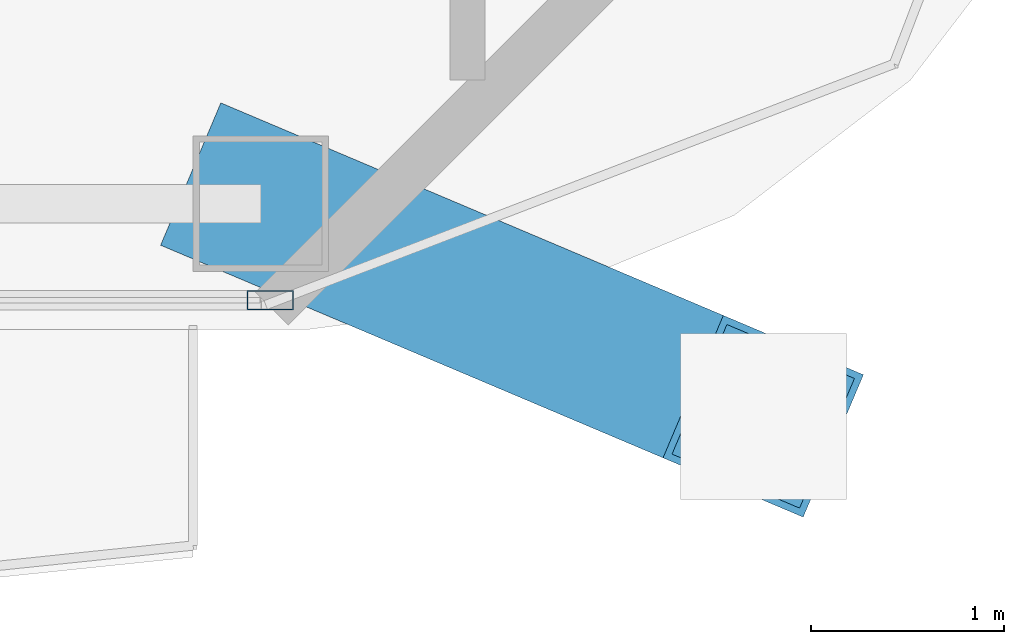
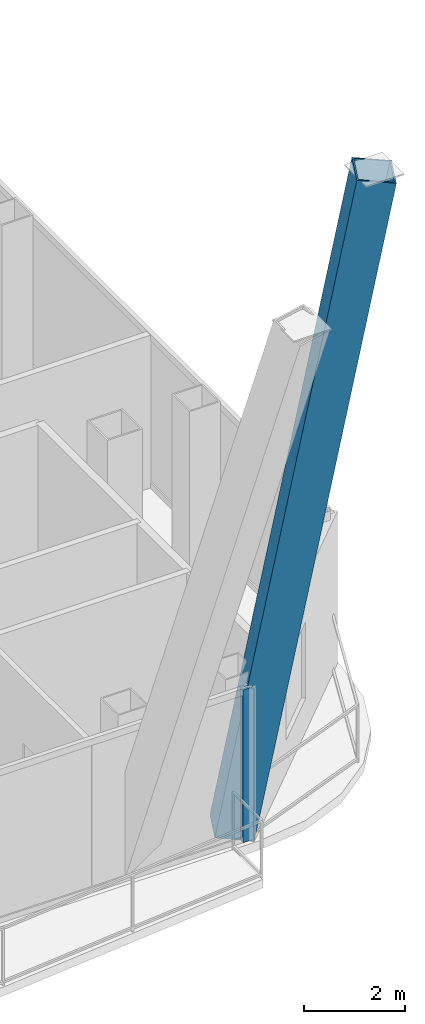
# One storey, part 10 of 34: 2 members, 1 element without a shape of its own.
"""IFC4 building model written with IfcOpenShell, lengths in metres."""

from ifc_helpers import new_model, si_unit, direction, frame, origin, origin_2d, place, context, subcontext, project, spatial, hollow_rectangle, extrude, material, layer, layer_set, material_profile, profile_set, type_object, element, aggregate, save


model = new_model("IFC4")

# Units and contexts
model_context = context("Model", 3, precision=1e-05, world=origin(), true_north=direction((0.0, 1.0)))
body_context = subcontext(model_context, "Body", "Model", "MODEL_VIEW")
ifc_project = project(units=[si_unit("LENGTHUNIT", "METRE"), si_unit("AREAUNIT", "SQUARE_METRE"), si_unit("VOLUMEUNIT", "CUBIC_METRE"), si_unit("PLANEANGLEUNIT", "RADIAN"), si_unit("MASSUNIT", "GRAM", prefix="KILO")], contexts=[model_context])

# Site, building, storey
site_placement = place(None, origin())
site = spatial("IfcSite", under=ifc_project, at=site_placement, CompositionType="ELEMENT")
building_placement = place(site_placement, origin())
building = spatial("IfcBuilding", under=site, at=building_placement, Name="Khorvyn Point Tower", CompositionType="ELEMENT")
storey_placement = place(building_placement, frame((0.0, 0.0, 175.800048828125)))
storey = spatial("IfcBuildingStorey", under=building, at=storey_placement, Name="L43", CompositionType="ELEMENT", Elevation=175.800048828125)

# Curtain wall, member
ifc_material_1 = material(Name="Anodised aluminium 6063-T6 and laminated Low-E glass", Category="aluminium")
ifc_layer = layer(ifc_material_1, 0.18994140625)
ifc_layer_set = layer_set([ifc_layer], Name="Stick-Built Acoustic Curtain Wall CW-SYS-03")
curtain_wall_type = type_object("IfcCurtainWallType", Name="Stick-Built Acoustic Curtain Wall CW-SYS-03", PredefinedType="NOTDEFINED", material=ifc_layer_set)
curtain_wall_placement = place(storey_placement, origin())
curtain_wall = element("IfcCurtainWall", 1, at=curtain_wall_placement, inside=storey, type_object=curtain_wall_type, Name="Curtain Wall", PredefinedType="NOTDEFINED")
ifc_material_2 = material(Name="Anodised aluminium 6063-T6", Category="aluminium")
ifc_material_profile_1 = material_profile(ifc_material_2, hollow_rectangle(XDim=0.10009765625, YDim=0.239990234375, WallThickness=0.0048828125, at=origin_2d()))
ifc_profile_set_1 = profile_set([ifc_material_profile_1], Name="Anodised aluminium 6063-T6 ALU-MUL-100x240")
member_type_1 = type_object("IfcMemberType", Name="Anodised Aluminium 6063-T6 Mullion ALU-MUL-100x240", PredefinedType="MULLION", material=ifc_profile_set_1)
member_1_placement = place(storey_placement, frame((17.300048828125, -23.64990234375, 0.0), z_axis=(0.0, 0.0, 1.0), x_axis=(0.0, -1.0, 0.0)))
member_1 = element("IfcMember", 2, at=member_1_placement, type_object=member_type_1, Name="Transom", PredefinedType="MULLION", context=body_context, shape_type="SweptSolid", body=[
    extrude(hollow_rectangle(XDim=0.10009765625, YDim=0.239990234375, WallThickness=0.0048828125, at=origin_2d()), origin(), (0.0, 0.0, 1.0), 3.679931640625),
])
aggregate(curtain_wall, [member_1])

# Member
ifc_material_3 = material(Name="Steel S450", Category="steel")
ifc_material_profile_2 = material_profile(ifc_material_3, hollow_rectangle(XDim=0.800048828125, YDim=0.800048828125, WallThickness=0.035888671875, at=origin_2d()))
ifc_profile_set_2 = profile_set([ifc_material_profile_2], Name="Steel S450 BOX800x800x36")
member_type_2 = type_object("IfcMemberType", Name="Steel S450 Exoskeleton Structural Post BOX800x800x36", PredefinedType="POST", material=ifc_profile_set_2)
member_2_placement = place(storey_placement, frame((17.25, -23.14990234375, 0.0), z_axis=(0.164010185014, -0.069392478279, 0.984014910034), x_axis=(0.389656916893, 0.920960089861, 0.0)))
element("IfcMember", 3, at=member_2_placement, inside=storey, type_object=member_type_2, Name="L43 to L47 Exoskeleton Transfer Post 05", PredefinedType="POST", context=body_context, shape_type="SweptSolid", body=[
    extrude(hollow_rectangle(XDim=0.800048828125, YDim=0.800048828125, WallThickness=0.035888671875, at=origin_2d()), origin(), (0.0, 0.0, 1.0), 15.853271484375),
])

save(model, "model.ifc")
